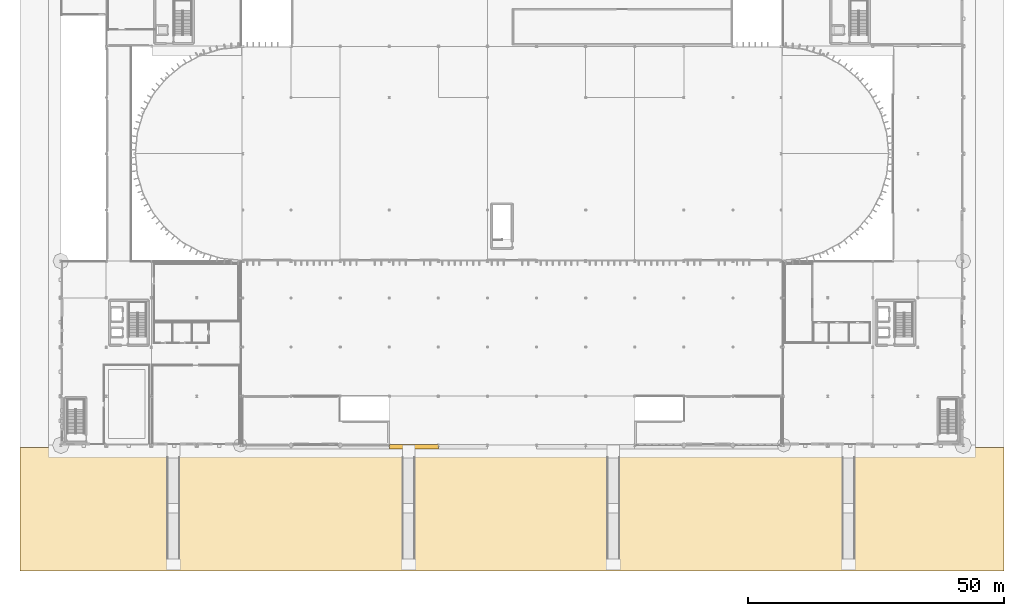
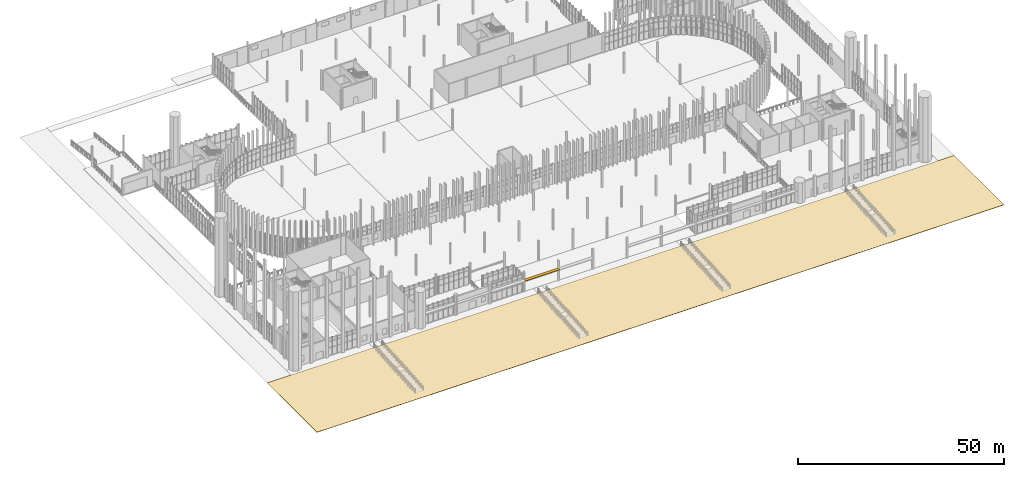
# One storey, part 114 of 139: 1 covering, 1 shading device.
"""IFC4 building model written with IfcOpenShell, lengths in metres."""

import ifcopenshell
import ifcopenshell.guid

model = None  # the IFC model being written
_history = None  # IfcOwnerHistory: only IFC2X3 demands one
_inside = {}  # id of a spatial element -> (the spatial element, [elements in it])
_under = {}  # id of a project, library or spatial element -> (it, [spatial elements below it])
_declared = {}  # id of a project -> (the project, [libraries it declares])
_typed = {}  # id of a type object -> (the type object, [elements of that type])
_made_of = {}  # id of a material, layer set ... -> (it, [elements and type objects made of it])


def new_model(schema):
    """Start an empty IFC model of exactly this schema.

    Asked for "IFC4X3", IfcOpenShell would pick the latest addendum, in which some entities
    have other attributes; the version numbers below select the first issue.
    IFC2X3 requires an IfcOwnerHistory on every rooted entity: one is made here for all.
    """
    global model, _history
    if schema == "IFC4X3":
        model = ifcopenshell.file(schema_version=(4, 3, 0, 0))
    else:
        model = ifcopenshell.file(schema=schema)
    _inside.clear()
    _under.clear()
    _declared.clear()
    _typed.clear()
    _made_of.clear()
    _history = None
    if model.schema == "IFC2X3":
        org = make("IfcOrganization", Name="unknown")
        user = make(
            "IfcPersonAndOrganization",
            ThePerson=make("IfcPerson", FamilyName="unknown"),
            TheOrganization=org,
        )
        app = make(
            "IfcApplication",
            ApplicationDeveloper=org,
            Version="unknown",
            ApplicationFullName="unknown",
            ApplicationIdentifier="unknown",
        )
        _history = make(
            "IfcOwnerHistory",
            OwningUser=user,
            OwningApplication=app,
            ChangeAction="ADDED",
            CreationDate=0,
        )
    return model


def make(cls, **values):
    """One entity of the class cls with the attributes given. An attribute that is None is left unset."""
    return model.create_entity(
        cls, **{name: value for name, value in values.items() if value is not None}
    )


def rooted(cls, **values):
    """An entity with a GlobalId (a new one), such as an element, a storey or a relation."""
    return make(cls, GlobalId=ifcopenshell.guid.new(), OwnerHistory=_history, **values)


def si_unit(unit_type, name, prefix=None):
    """IfcSIUnit, for example si_unit("LENGTHUNIT", "METRE", prefix="MILLI")."""
    return make("IfcSIUnit", UnitType=unit_type, Prefix=prefix, Name=name)


def assignment(units):
    """IfcUnitAssignment: the units of a project."""
    return None if units is None else make("IfcUnitAssignment", Units=units)


def point(xyz):
    """IfcCartesianPoint."""
    return None if xyz is None else make("IfcCartesianPoint", Coordinates=xyz)


def direction(xyz):
    """IfcDirection."""
    return None if xyz is None else make("IfcDirection", DirectionRatios=xyz)


def frame(location, z_axis=None, x_axis=None):
    """IfcAxis2Placement3D, a coordinate frame: its origin and axes. An axis left out is left unset."""
    return make(
        "IfcAxis2Placement3D",
        Location=point(location),
        Axis=direction(z_axis),
        RefDirection=direction(x_axis),
    )


def frame_2d(location, x_axis=None):
    """IfcAxis2Placement2D, a coordinate frame in the plane: its origin and x axis."""
    return make(
        "IfcAxis2Placement2D", Location=point(location), RefDirection=direction(x_axis)
    )


def origin():
    """The frame at (0, 0, 0) with its axes left unset."""
    return frame((0.0, 0.0, 0.0))


def origin_2d():
    """The frame at (0, 0) in the plane with its x axis left unset."""
    return frame_2d((0.0, 0.0))


def place(relative_to, where):
    """IfcLocalPlacement: puts the frame where relative to a parent placement (None: the world)."""
    return make(
        "IfcLocalPlacement", PlacementRelTo=relative_to, RelativePlacement=where
    )


def context(
    kind, dimensions, precision=None, world=None, true_north=None, identifier=None
):
    """IfcGeometricRepresentationContext, for example the 3D "Model" context."""
    return make(
        "IfcGeometricRepresentationContext",
        ContextIdentifier=identifier,
        ContextType=kind,
        CoordinateSpaceDimension=dimensions,
        Precision=precision,
        WorldCoordinateSystem=world,
        TrueNorth=true_north,
    )


def subcontext(parent, identifier, kind, view, scale=None):
    """IfcGeometricRepresentationSubContext, for example "Body" below "Model"."""
    return make(
        "IfcGeometricRepresentationSubContext",
        ContextIdentifier=identifier,
        ContextType=kind,
        ParentContext=parent,
        TargetScale=scale,
        TargetView=view,
    )


def project(units=None, contexts=None):
    """IfcProject with its units and contexts."""
    return rooted(
        "IfcProject",
        Name="project",
        RepresentationContexts=contexts,
        UnitsInContext=assignment(units),
    )


def spatial(cls, under=None, at=None, **own):
    """A site, building, storey or space (cls), placed at a placement, below another one or the project."""
    s = rooted(cls, ObjectPlacement=at, **own)
    if under is not None:
        _under.setdefault(under.id(), (under, []))[1].append(s)
    return s


def polyline(points):
    """IfcPolyline through the points."""
    return make("IfcPolyline", Points=[point(p) for p in points])


def profile(cls, at=None, kind="AREA", **sizes):
    """A parametric profile (cls). Its sizes go by their IFC names, for example OverallWidth=200.0."""
    return make(cls, ProfileType=kind, Position=at, **sizes)


def rectangle(**sizes):
    """IfcRectangleProfileDef."""
    return profile("IfcRectangleProfileDef", **sizes)


def outline(outer, holes=None, kind="AREA"):
    """IfcArbitraryClosedProfileDef: a profile drawn as a closed curve; with holes, ...WithVoids."""
    if holes is None:
        return make("IfcArbitraryClosedProfileDef", ProfileType=kind, OuterCurve=outer)
    return make(
        "IfcArbitraryProfileDefWithVoids",
        ProfileType=kind,
        OuterCurve=outer,
        InnerCurves=holes,
    )


def extrude(swept, where, along, depth):
    """IfcExtrudedAreaSolid: the profile swept, set in the frame where, extruded along a direction by depth."""
    return make(
        "IfcExtrudedAreaSolid",
        SweptArea=swept,
        Position=where,
        ExtrudedDirection=direction(along),
        Depth=depth,
    )


def shape(context_of_items, identifier, shape_type, items):
    """IfcShapeRepresentation: the items that make up one representation, for example the "Body"."""
    return make(
        "IfcShapeRepresentation",
        ContextOfItems=context_of_items,
        RepresentationIdentifier=identifier,
        RepresentationType=shape_type,
        Items=items,
    )


def material(Name=None, Category=None):
    """IfcMaterial."""
    return make("IfcMaterial", Name=Name, Category=Category)


def layer(
    of_material, thickness, ventilated=None, Name=None, Category=None, Priority=None
):
    """IfcMaterialLayer: one layer of a wall or slab, of a material (None: an air gap)."""
    return make(
        "IfcMaterialLayer",
        Material=of_material,
        LayerThickness=thickness,
        IsVentilated=ventilated,
        Name=Name,
        Category=Category,
        Priority=Priority,
    )


def layer_set(layers, Name=None):
    """IfcMaterialLayerSet."""
    return make("IfcMaterialLayerSet", MaterialLayers=layers, LayerSetName=Name)


def made_of(thing, what):
    """Note that an element or type object is made of a material, layer set ...; save() writes the relation."""
    if what is not None:
        _made_of.setdefault(what.id(), (what, []))[1].append(thing)
    return thing


def type_object(cls, material=None, **own):
    """A type object (cls), such as IfcWallType, which elements share."""
    return made_of(rooted(cls, **own), material)


def element(
    cls,
    number,
    at=None,
    inside=None,
    cuts=None,
    type_object=None,
    material=None,
    context=None,
    identifier="Body",
    shape_type=None,
    held_by="IfcProductDefinitionShape",
    body=None,
    shapes=None,
    **own,
):
    """One element of the class cls, such as IfcWall. Its Tag is "e" and its number.

    at: its placement. inside: the storey or other place that contains it. cuts: it is an
    opening in that element (IfcRelVoidsElement). A single representation is given by context,
    identifier, shape_type and body (its items); several are given by shapes. held_by: the class
    of the entity that holds the representations. save() writes the other relations.
    """
    e = rooted(cls, Tag="e%d" % number, ObjectPlacement=at, **own)
    if body is not None:
        shapes = [shape(context, identifier, shape_type, body)]
    if shapes is not None:
        e.Representation = make(held_by, Representations=shapes)
    if inside is not None:
        _inside.setdefault(inside.id(), (inside, []))[1].append(e)
    if cuts is not None:
        rooted(
            "IfcRelVoidsElement", RelatingBuildingElement=cuts, RelatedOpeningElement=e
        )
    if type_object is not None:
        _typed.setdefault(type_object.id(), (type_object, []))[1].append(e)
    return made_of(e, material)


def aggregate(whole, parts):
    """IfcRelAggregates: a whole, such as a stair, and the parts it consists of."""
    return rooted("IfcRelAggregates", RelatingObject=whole, RelatedObjects=parts)


def save(model, path):
    """Write the relations noted so far, then the file.

    IfcRelAggregates (storeys below a building ...), IfcRelContainedInSpatialStructure (elements
    in a storey), IfcRelDefinesByType, IfcRelAssociatesMaterial and IfcRelDeclares: one each for
    every whole, place, type object, material and project.
    """
    for whole, parts in _under.values():
        aggregate(whole, parts)
    for where, things in _inside.values():
        rooted(
            "IfcRelContainedInSpatialStructure",
            RelatedElements=things,
            RelatingStructure=where,
        )
    for kind, things in _typed.values():
        rooted("IfcRelDefinesByType", RelatedObjects=things, RelatingType=kind)
    for what, things in _made_of.values():
        rooted("IfcRelAssociatesMaterial", RelatedObjects=things, RelatingMaterial=what)
    for by, libraries in _declared.values():
        rooted("IfcRelDeclares", RelatingContext=by, RelatedDefinitions=libraries)
    model.write(path)


model = new_model("IFC4")

# Units and contexts
model_context = context("Model", 3, precision=1e-05, world=origin(), true_north=direction((0.0, 1.0)))
body_context = subcontext(model_context, "Body", "Model", "MODEL_VIEW")
ifc_project = project(units=[si_unit("LENGTHUNIT", "METRE"), si_unit("AREAUNIT", "SQUARE_METRE"), si_unit("VOLUMEUNIT", "CUBIC_METRE"), si_unit("PLANEANGLEUNIT", "RADIAN"), si_unit("MASSUNIT", "GRAM", prefix="KILO")], contexts=[model_context])

# Site, building, storey
site_placement = place(None, origin())
site = spatial("IfcSite", under=ifc_project, at=site_placement, CompositionType="ELEMENT")
building_placement = place(site_placement, origin())
building = spatial("IfcBuilding", under=site, at=building_placement, Name="Yeouljin Market Hall", CompositionType="ELEMENT")
storey_placement = place(building_placement, origin())
storey = spatial("IfcBuildingStorey", under=building, at=storey_placement, Name="L00", CompositionType="ELEMENT", Elevation=0.0)

# Covering
ifc_material_1 = material(Name="Pocheon Granite Stone", Category="masonry")
ifc_layer = layer(ifc_material_1, 0.080078125)
ifc_layer_set = layer_set([ifc_layer], Name="Pocheon Granite Stone")
covering_type = type_object("IfcCoveringType", Name="Covering_Boulevard_PlazaPaving", PredefinedType="USERDEFINED", material=ifc_layer_set)
covering_placement = place(storey_placement, frame((0.0, 0.0, -1.52001953125)))
element("IfcCovering", 1, at=covering_placement, inside=storey, type_object=covering_type, Name="Yeouljin Boulevard street-grade granite paving BLVD-PAV-SOUTH", ObjectType="PAVING", PredefinedType="USERDEFINED", context=body_context, shape_type="SweptSolid", body=[
    extrude(outline(polyline([(-8.0, -24.60009765625), (184.39990234375, -24.60009765625), (184.39990234375, -0.449951171875), (-8.0, -0.449951171875), (-8.0, -24.60009765625)])), origin(), (0.0, 0.0, 1.0), 0.080078125),
])

# Shading device
ifc_material_2 = material(Name="Bronze Brise-Soleil Louvre")
shading_device_type = type_object("IfcShadingDeviceType", Name="SolarFin_ClinkerBronze_880", PredefinedType="JALOUSIE", material=ifc_material_2)
shading_device_placement = place(storey_placement, frame((69.0, -0.320068359375, 3.47998046875), z_axis=(0.0, 0.0, 1.0), x_axis=(1.0, 0.0, 0.0)))
element("IfcShadingDevice", 2, at=shading_device_placement, inside=storey, type_object=shading_device_type, Name="Boulevard entrance brise-soleil louvre 04", PredefinedType="JALOUSIE", context=body_context, shape_type="SweptSolid", body=[
    extrude(rectangle(XDim=9.60009765625, YDim=0.8798828125, at=origin_2d()), origin(), (0.0, 0.0, 1.0), 0.139892578125),
])

save(model, "model.ifc")
